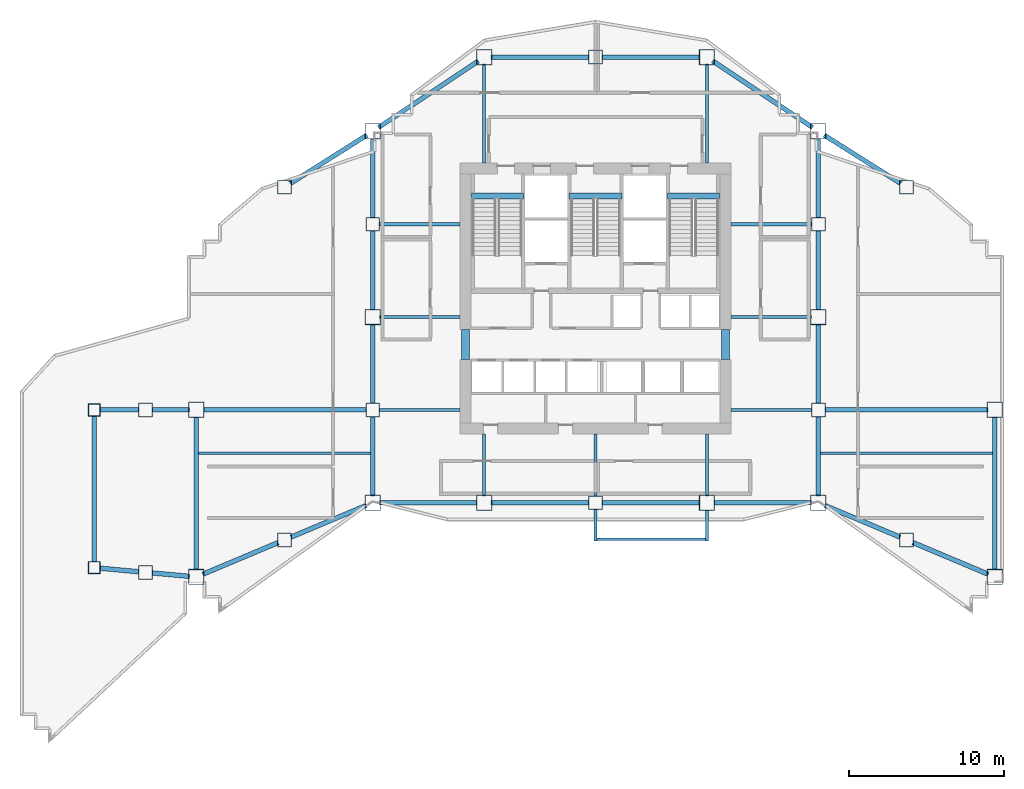
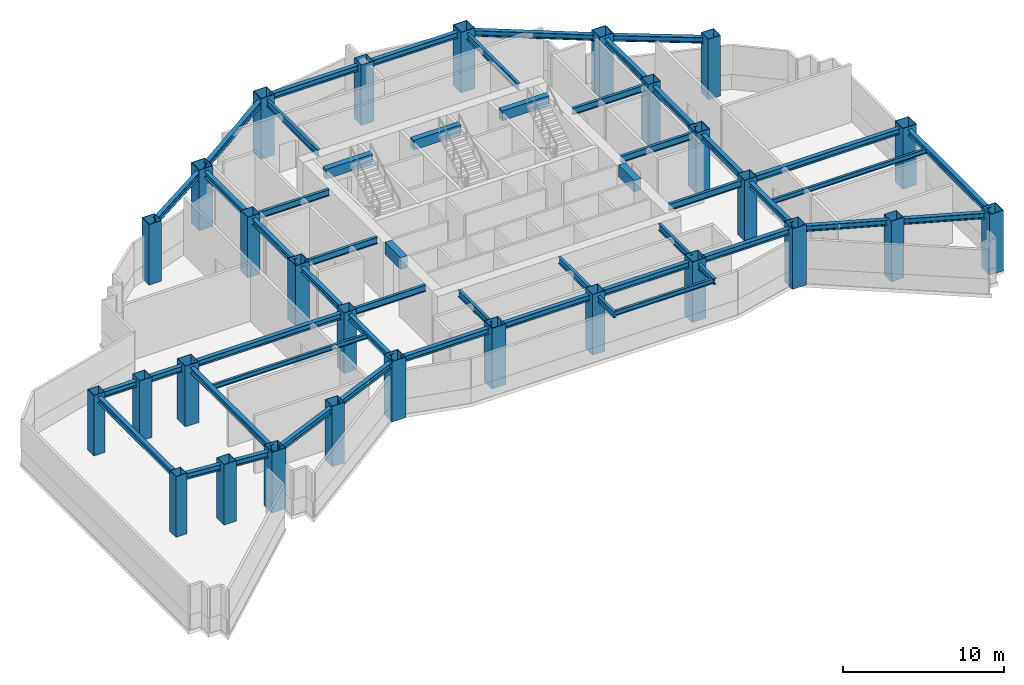
# One storey, part 1 of 12: 52 beams, 28 columns.
"""IFC4 building model written with IfcOpenShell, lengths in metres."""

from ifc_helpers import new_model, si_unit, direction, frame, origin, origin_2d, place, context, subcontext, project, spatial, rectangle, hollow_rectangle, i_section, extrude, material, material_profile, profile_set, type_object, element, save


model = new_model("IFC4")

# Units and contexts
model_context = context("Model", 3, precision=1e-05, world=origin(), true_north=direction((0.0, 1.0)))
body_context = subcontext(model_context, "Body", "Model", "MODEL_VIEW")
ifc_project = project(units=[si_unit("LENGTHUNIT", "METRE"), si_unit("AREAUNIT", "SQUARE_METRE"), si_unit("VOLUMEUNIT", "CUBIC_METRE"), si_unit("PLANEANGLEUNIT", "RADIAN"), si_unit("MASSUNIT", "GRAM", prefix="KILO")], contexts=[model_context])

# Site, building, storey
site_placement = place(None, origin())
site = spatial("IfcSite", under=ifc_project, at=site_placement, CompositionType="ELEMENT")
building_placement = place(site_placement, origin())
building = spatial("IfcBuilding", under=site, at=building_placement, Name="Haolan Belvedere Tower", CompositionType="ELEMENT")
storey_placement = place(building_placement, frame((0.0, 0.0, 136.39990234375)))
storey = spatial("IfcBuildingStorey", under=building, at=storey_placement, Name="L34", CompositionType="ELEMENT", Elevation=136.39990234375)

# Columns
ifc_material_1 = material(Name="Steel Q420GJC", Category="steel")
ifc_material_profile_1 = material_profile(ifc_material_1, hollow_rectangle(XDim=1.0, YDim=1.0, WallThickness=0.0380859375, at=origin_2d()), Name="Steel Q420GJC")
ifc_profile_set_1 = profile_set([ifc_material_profile_1], Name="Steel Q420GJC")
column_type_1 = type_object("IfcColumnType", Name="COL-BOX1000x1000x38", PredefinedType="COLUMN", material=ifc_profile_set_1)
for number, where, z_axis, x_axis, name in (
    (1, (24.0, 21.60009765625, 0.0), (0.0, 0.0, 1.0), (1.0, 0.0, 0.0), "L34 column MC-T3-SW (BOX1000x1000x38)"),
    (2, (24.0, 33.60009765625, 0.0), (0.0, 0.0, 1.0), (1.0, 0.0, 0.0), "L34 column MC-T3-MW (BOX1000x1000x38)"),
    (3, (24.0, 45.60009765625, 0.0), (0.0, 0.0, 1.0), (1.0, 0.0, 0.0), "L34 column MC-T3-NW (BOX1000x1000x38)"),
    (4, (52.800048828125, 21.60009765625, 0.0), (0.0, 0.0, 1.0), (1.0, 0.0, 0.0), "L34 column MC-T3-SE (BOX1000x1000x38)"),
    (5, (52.800048828125, 33.60009765625, 0.0), (0.0, 0.0, 1.0), (1.0, 0.0, 0.0), "L34 column MC-T3-ME (BOX1000x1000x38)"),
    (6, (52.800048828125, 45.60009765625, 0.0), (0.0, 0.0, 1.0), (1.0, 0.0, 0.0), "L34 column MC-T3-NE (BOX1000x1000x38)"),
    (7, (31.199951171875, 21.60009765625, 0.0), (0.0, 0.0, 1.0), (1.0, 0.0, 0.0), "L34 column MC-T3-S1 (BOX1000x1000x38)"),
    (8, (45.60009765625, 21.60009765625, 0.0), (0.0, 0.0, 1.0), (1.0, 0.0, 0.0), "L34 column MC-T3-S2 (BOX1000x1000x38)"),
    (9, (31.199951171875, 50.39990234375, 0.0), (0.0, 0.0, 1.0), (1.0, 0.0, 0.0), "L34 column MC-T3-N1 (BOX1000x1000x38)"),
    (10, (45.60009765625, 50.39990234375, 0.0), (0.0, 0.0, 1.0), (1.0, 0.0, 0.0), "L34 column MC-T3-N2 (BOX1000x1000x38)"),
    (11, (12.60009765625, 16.800048828125, 0.0), (0.0, 0.0, 1.0), (1.0, 0.0, 0.0), "L34 column MC-T2-SW (BOX1000x1000x38)"),
    (12, (12.60009765625, 27.60009765625, 0.0), (0.0, 0.0, 1.0), (1.0, 0.0, 0.0), "L34 column MC-T2-MW (BOX1000x1000x38)"),
    (13, (64.199951171875, 16.800048828125, 0.0), (0.0, 0.0, 1.0), (1.0, 0.0, 0.0), "L34 column MC-T4-SE (BOX1000x1000x38)"),
    (14, (64.199951171875, 27.60009765625, 0.0), (0.0, 0.0, 1.0), (1.0, 0.0, 0.0), "L34 column MC-T4-ME (BOX1000x1000x38)"),
):
    element("IfcColumn", number, at=place(storey_placement, frame(where, z_axis=z_axis, x_axis=x_axis)), inside=storey, type_object=column_type_1, Name=name, PredefinedType="COLUMN", context=body_context, shape_type="SweptSolid", body=[
        extrude(hollow_rectangle(XDim=1.0, YDim=1.0, WallThickness=0.0380859375, at=origin_2d()), origin(), (0.0, 0.0, 1.0), 4.60009765625),
    ])
ifc_material_2 = material(Name="Steel Q390GJC", Category="steel")
ifc_material_profile_2 = material_profile(ifc_material_2, hollow_rectangle(XDim=0.800048828125, YDim=0.800048828125, WallThickness=0.030029296875, at=origin_2d()), Name="Steel Q390GJC")
ifc_profile_set_2 = profile_set([ifc_material_profile_2], Name="Steel Q390GJC")
column_type_2 = type_object("IfcColumnType", Name="COL-BOX800x800x30", PredefinedType="COLUMN", material=ifc_profile_set_2)
for number, where, z_axis, x_axis, name in (
    (15, (6.0, 17.39990234375, 0.0), (0.0, 0.0, 1.0), (1.0, 0.0, 0.0), "L34 column MC-T1-SW (BOX800x800x30)"),
    (16, (6.0, 27.60009765625, 0.0), (0.0, 0.0, 1.0), (1.0, 0.0, 0.0), "L34 column MC-T1-NW (BOX800x800x30)"),
):
    element("IfcColumn", number, at=place(storey_placement, frame(where, z_axis=z_axis, x_axis=x_axis)), inside=storey, type_object=column_type_2, Name=name, PredefinedType="COLUMN", context=body_context, shape_type="SweptSolid", body=[
        extrude(hollow_rectangle(XDim=0.800048828125, YDim=0.800048828125, WallThickness=0.030029296875, at=origin_2d()), origin(), (0.0, 0.0, 1.0), 4.60009765625),
    ])
ifc_material_profile_3 = material_profile(ifc_material_2, hollow_rectangle(XDim=0.89990234375, YDim=0.89990234375, WallThickness=0.033935546875, at=origin_2d()), Name="Steel Q390GJC")
ifc_profile_set_3 = profile_set([ifc_material_profile_3], Name="Steel Q390GJC")
column_type_3 = type_object("IfcColumnType", Name="COL-BOX900x900x34", PredefinedType="COLUMN", material=ifc_profile_set_3)
for number, where, z_axis, x_axis, name in (
    (17, (24.0, 27.60009765625, 0.0), (0.0, 0.0, 1.0), (1.0, 0.0, 0.0), "L34 column TC-T3-W1 (BOX900x900x34)"),
    (18, (24.0, 39.60009765625, 0.0), (0.0, 0.0, 1.0), (1.0, 0.0, 0.0), "L34 column TC-T3-W2 (BOX900x900x34)"),
    (19, (52.800048828125, 27.60009765625, 0.0), (0.0, 0.0, 1.0), (1.0, 0.0, 0.0), "L34 column TC-T3-E1 (BOX900x900x34)"),
    (20, (52.800048828125, 39.60009765625, 0.0), (0.0, 0.0, 1.0), (1.0, 0.0, 0.0), "L34 column TC-T3-E2 (BOX900x900x34)"),
    (21, (38.39990234375, 21.60009765625, 0.0), (0.0, 0.0, 1.0), (1.0, 0.0, 0.0), "L34 column TC-T3-SM (BOX900x900x34)"),
    (22, (38.39990234375, 50.39990234375, 0.0), (0.0, 0.0, 1.0), (1.0, 0.0, 0.0), "L34 column TC-T3-NM (BOX900x900x34)"),
    (23, (18.300048828125, 19.199951171875, 0.0), (0.0, 0.0, 1.0), (1.0, 0.0, 0.0), "L34 column TC-T2-S1 (BOX900x900x34)"),
    (24, (18.300048828125, 42.0, 0.0), (0.0, 0.0, 1.0), (1.0, 0.0, 0.0), "L34 column TC-T2-N1 (BOX900x900x34)"),
    (25, (58.5, 19.199951171875, 0.0), (0.0, 0.0, 1.0), (1.0, 0.0, 0.0), "L34 column TC-T4-S1 (BOX900x900x34)"),
    (26, (58.5, 42.0, 0.0), (0.0, 0.0, 1.0), (1.0, 0.0, 0.0), "L34 column TC-T4-N1 (BOX900x900x34)"),
    (27, (9.300048828125, 17.10009765625, 0.0), (0.0, 0.0, 1.0), (1.0, 0.0, 0.0), "L34 column TC-T1-M1 (BOX900x900x34)"),
    (28, (9.300048828125, 27.60009765625, 0.0), (0.0, 0.0, 1.0), (1.0, 0.0, 0.0), "L34 column TC-T1-M2 (BOX900x900x34)"),
):
    element("IfcColumn", number, at=place(storey_placement, frame(where, z_axis=z_axis, x_axis=x_axis)), inside=storey, type_object=column_type_3, Name=name, PredefinedType="COLUMN", context=body_context, shape_type="SweptSolid", body=[
        extrude(hollow_rectangle(XDim=0.89990234375, YDim=0.89990234375, WallThickness=0.033935546875, at=origin_2d()), origin(), (0.0, 0.0, 1.0), 4.60009765625),
    ])

# Beams
ifc_material_3 = material(Name="Steel Q355B", Category="steel")
ifc_material_profile_4 = material_profile(ifc_material_3, i_section(OverallWidth=0.300048828125, OverallDepth=0.43994140625, WebThickness=0.010986328125, FlangeThickness=0.01806640625, FilletRadius=0.02392578125, at=origin_2d()), Name="Steel Q355B")
ifc_profile_set_4 = profile_set([ifc_material_profile_4], Name="Steel Q355B")
beam_type_1 = type_object("IfcBeamType", Name="BM-HM440x300x11x18", PredefinedType="SPANDREL", material=ifc_profile_set_4)
for number, where, z_axis, x_axis, name in (
    (29, (24.0, 22.050048828125, 4.18017578125), (0.0, 1.0, 0.0), (-1.0, 0.0, 0.0), "L34 spandrel girder MC-T3-SW-TC-T3-W1"),
    (30, (24.0, 28.050048828125, 4.18017578125), (0.0, 1.0, 0.0), (-1.0, 0.0, 0.0), "L34 spandrel girder TC-T3-W1-MC-T3-MW"),
    (31, (24.0, 34.050048828125, 4.18017578125), (0.0, 1.0, 0.0), (-1.0, 0.0, 0.0), "L34 spandrel girder MC-T3-MW-TC-T3-W2"),
    (32, (24.0, 40.050048828125, 4.18017578125), (0.0, 1.0, 0.0), (-1.0, 0.0, 0.0), "L34 spandrel girder TC-T3-W2-MC-T3-NW"),
    (33, (52.800048828125, 22.050048828125, 4.18017578125), (0.0, 1.0, 0.0), (-1.0, 0.0, 0.0), "L34 spandrel girder MC-T3-SE-TC-T3-E1"),
    (34, (52.800048828125, 28.050048828125, 4.18017578125), (0.0, 1.0, 0.0), (-1.0, 0.0, 0.0), "L34 spandrel girder TC-T3-E1-MC-T3-ME"),
    (35, (52.800048828125, 34.050048828125, 4.18017578125), (0.0, 1.0, 0.0), (-1.0, 0.0, 0.0), "L34 spandrel girder MC-T3-ME-TC-T3-E2"),
    (36, (52.800048828125, 40.050048828125, 4.18017578125), (0.0, 1.0, 0.0), (-1.0, 0.0, 0.0), "L34 spandrel girder TC-T3-E2-MC-T3-NE"),
):
    element("IfcBeam", number, at=place(storey_placement, frame(where, z_axis=z_axis, x_axis=x_axis)), inside=storey, type_object=beam_type_1, Name=name, PredefinedType="SPANDREL", context=body_context, shape_type="SweptSolid", body=[
        extrude(i_section(OverallWidth=0.300048828125, OverallDepth=0.43994140625, WebThickness=0.010986328125, FlangeThickness=0.01806640625, FilletRadius=0.02392578125, at=origin_2d()), origin(), (0.0, 0.0, 1.0), 5.099853515625),
    ])
for number, where, z_axis, x_axis, name in (
    (37, (24.449951171875, 21.60009765625, 4.18017578125), (1.0, 0.0, 0.0), (0.0, 1.0, 0.0), "L34 spandrel girder MC-T3-SW-MC-T3-S1"),
    (38, (31.64990234375, 21.60009765625, 4.18017578125), (1.0, 0.0, 0.0), (0.0, 1.0, 0.0), "L34 spandrel girder MC-T3-S1-TC-T3-SM"),
):
    element("IfcBeam", number, at=place(storey_placement, frame(where, z_axis=z_axis, x_axis=x_axis)), inside=storey, type_object=beam_type_1, Name=name, PredefinedType="SPANDREL", context=body_context, shape_type="SweptSolid", body=[
        extrude(i_section(OverallWidth=0.300048828125, OverallDepth=0.43994140625, WebThickness=0.010986328125, FlangeThickness=0.01806640625, FilletRadius=0.02392578125, at=origin_2d()), origin(), (0.0, 0.0, 1.0), 6.300048828125),
    ])
beam_1_placement = place(storey_placement, frame((38.85009765625, 21.60009765625, 4.18017578125), z_axis=(1.0, 0.0, 0.0), x_axis=(0.0, 1.0, 0.0)))
element("IfcBeam", 39, at=beam_1_placement, inside=storey, type_object=beam_type_1, Name="L34 spandrel girder TC-T3-SM-MC-T3-S2", PredefinedType="SPANDREL", context=body_context, shape_type="SweptSolid", body=[
    extrude(i_section(OverallWidth=0.300048828125, OverallDepth=0.43994140625, WebThickness=0.010986328125, FlangeThickness=0.01806640625, FilletRadius=0.02392578125, at=origin_2d()), origin(), (0.0, 0.0, 1.0), 6.2998046875),
])
beam_2_placement = place(storey_placement, frame((46.050048828125, 21.60009765625, 4.18017578125), z_axis=(1.0, 0.0, 0.0), x_axis=(0.0, 1.0, 0.0)))
element("IfcBeam", 40, at=beam_2_placement, inside=storey, type_object=beam_type_1, Name="L34 spandrel girder MC-T3-S2-MC-T3-SE", PredefinedType="SPANDREL", context=body_context, shape_type="SweptSolid", body=[
    extrude(i_section(OverallWidth=0.300048828125, OverallDepth=0.43994140625, WebThickness=0.010986328125, FlangeThickness=0.01806640625, FilletRadius=0.02392578125, at=origin_2d()), origin(), (0.0, 0.0, 1.0), 6.300048828125),
])
beam_3_placement = place(storey_placement, frame((24.37451171875, 45.849609375, 4.18017578125), z_axis=(0.832050294338, 0.554700196225, 0.0), x_axis=(-0.554700196225, 0.832050294338, 0.0)))
element("IfcBeam", 41, at=beam_3_placement, inside=storey, type_object=beam_type_1, Name="L34 spandrel girder MC-T3-NW-MC-T3-N1", PredefinedType="SPANDREL", context=body_context, shape_type="SweptSolid", body=[
    extrude(i_section(OverallWidth=0.300048828125, OverallDepth=0.43994140625, WebThickness=0.010986328125, FlangeThickness=0.01806640625, FilletRadius=0.02392578125, at=origin_2d()), origin(), (0.0, 0.0, 1.0), 7.75341796875),
])
beam_4_placement = place(storey_placement, frame((31.64990234375, 50.39990234375, 4.18017578125), z_axis=(1.0, 0.0, 0.0), x_axis=(0.0, 1.0, 0.0)))
element("IfcBeam", 42, at=beam_4_placement, inside=storey, type_object=beam_type_1, Name="L34 spandrel girder MC-T3-N1-TC-T3-NM", PredefinedType="SPANDREL", context=body_context, shape_type="SweptSolid", body=[
    extrude(i_section(OverallWidth=0.300048828125, OverallDepth=0.43994140625, WebThickness=0.010986328125, FlangeThickness=0.01806640625, FilletRadius=0.02392578125, at=origin_2d()), origin(), (0.0, 0.0, 1.0), 6.300048828125),
])
beam_5_placement = place(storey_placement, frame((38.85009765625, 50.39990234375, 4.18017578125), z_axis=(1.0, 0.0, 0.0), x_axis=(0.0, 1.0, 0.0)))
element("IfcBeam", 43, at=beam_5_placement, inside=storey, type_object=beam_type_1, Name="L34 spandrel girder TC-T3-NM-MC-T3-N2", PredefinedType="SPANDREL", context=body_context, shape_type="SweptSolid", body=[
    extrude(i_section(OverallWidth=0.300048828125, OverallDepth=0.43994140625, WebThickness=0.010986328125, FlangeThickness=0.01806640625, FilletRadius=0.02392578125, at=origin_2d()), origin(), (0.0, 0.0, 1.0), 6.2998046875),
])
beam_6_placement = place(storey_placement, frame((45.974365234375, 50.150390625, 4.18017578125), z_axis=(0.832050294338, -0.554700196225, 0.0), x_axis=(0.554700196225, 0.832050294338, 0.0)))
element("IfcBeam", 44, at=beam_6_placement, inside=storey, type_object=beam_type_1, Name="L34 spandrel girder MC-T3-N2-MC-T3-NE", PredefinedType="SPANDREL", context=body_context, shape_type="SweptSolid", body=[
    extrude(i_section(OverallWidth=0.300048828125, OverallDepth=0.43994140625, WebThickness=0.010986328125, FlangeThickness=0.01806640625, FilletRadius=0.02392578125, at=origin_2d()), origin(), (0.0, 0.0, 1.0), 7.75341796875),
])
beam_7_placement = place(storey_placement, frame((12.60009765625, 17.25, 4.18017578125), z_axis=(0.0, 1.0, 0.0), x_axis=(-1.0, 0.0, 0.0)))
element("IfcBeam", 45, at=beam_7_placement, inside=storey, type_object=beam_type_1, Name="L34 spandrel girder MC-T2-SW-MC-T2-MW", PredefinedType="SPANDREL", context=body_context, shape_type="SweptSolid", body=[
    extrude(i_section(OverallWidth=0.300048828125, OverallDepth=0.43994140625, WebThickness=0.010986328125, FlangeThickness=0.01806640625, FilletRadius=0.02392578125, at=origin_2d()), origin(), (0.0, 0.0, 1.0), 9.89990234375),
])
beam_8_placement = place(storey_placement, frame((13.0146484375, 16.974609375, 4.18017578125), z_axis=(0.921635375138, 0.388057000058, 0.0), x_axis=(-0.388057000058, 0.921635375138, 0.0)))
element("IfcBeam", 46, at=beam_8_placement, inside=storey, type_object=beam_type_1, Name="L34 spandrel girder MC-T2-SW-TC-T2-S1", PredefinedType="SPANDREL", context=body_context, shape_type="SweptSolid", body=[
    extrude(i_section(OverallWidth=0.300048828125, OverallDepth=0.43994140625, WebThickness=0.010986328125, FlangeThickness=0.01806640625, FilletRadius=0.02392578125, at=origin_2d()), origin(), (0.0, 0.0, 1.0), 5.28466796875),
])
beam_9_placement = place(storey_placement, frame((18.71484375, 19.37451171875, 4.18017578125), z_axis=(0.92162841793, 0.388073523014, 0.0), x_axis=(-0.388073523014, 0.92162841793, 0.0)))
element("IfcBeam", 47, at=beam_9_placement, inside=storey, type_object=beam_type_1, Name="L34 spandrel girder TC-T2-S1-MC-T3-SW", PredefinedType="SPANDREL", context=body_context, shape_type="SweptSolid", body=[
    extrude(i_section(OverallWidth=0.300048828125, OverallDepth=0.43994140625, WebThickness=0.010986328125, FlangeThickness=0.01806640625, FilletRadius=0.02392578125, at=origin_2d()), origin(), (0.0, 0.0, 1.0), 5.284423828125),
])
beam_10_placement = place(storey_placement, frame((18.680419921875, 42.240234375, 4.18017578125), z_axis=(0.845497840649, 0.533978839898, 0.0), x_axis=(-0.533978839898, 0.845497840649, 0.0)))
element("IfcBeam", 48, at=beam_10_placement, inside=storey, type_object=beam_type_1, Name="L34 spandrel girder TC-T2-N1-MC-T3-NW", PredefinedType="SPANDREL", context=body_context, shape_type="SweptSolid", body=[
    extrude(i_section(OverallWidth=0.300048828125, OverallDepth=0.43994140625, WebThickness=0.010986328125, FlangeThickness=0.01806640625, FilletRadius=0.02392578125, at=origin_2d()), origin(), (0.0, 0.0, 1.0), 5.841796875),
])
beam_11_placement = place(storey_placement, frame((13.050048828125, 27.60009765625, 4.18017578125), z_axis=(1.0, 0.0, 0.0), x_axis=(0.0, 1.0, 0.0)))
element("IfcBeam", 49, at=beam_11_placement, inside=storey, type_object=beam_type_1, Name="L34 spandrel girder MC-T2-MW-TC-T3-W1", PredefinedType="SPANDREL", context=body_context, shape_type="SweptSolid", body=[
    extrude(i_section(OverallWidth=0.300048828125, OverallDepth=0.43994140625, WebThickness=0.010986328125, FlangeThickness=0.01806640625, FilletRadius=0.02392578125, at=origin_2d()), origin(), (0.0, 0.0, 1.0), 10.5),
])
beam_12_placement = place(storey_placement, frame((64.199951171875, 17.25, 4.18017578125), z_axis=(0.0, 1.0, 0.0), x_axis=(-1.0, 0.0, 0.0)))
element("IfcBeam", 50, at=beam_12_placement, inside=storey, type_object=beam_type_1, Name="L34 spandrel girder MC-T4-SE-MC-T4-ME", PredefinedType="SPANDREL", context=body_context, shape_type="SweptSolid", body=[
    extrude(i_section(OverallWidth=0.300048828125, OverallDepth=0.43994140625, WebThickness=0.010986328125, FlangeThickness=0.01806640625, FilletRadius=0.02392578125, at=origin_2d()), origin(), (0.0, 0.0, 1.0), 9.89990234375),
])
for number, where, z_axis, x_axis, name in (
    (51, (53.21484375, 21.42529296875, 4.18017578125), (0.92162841793, -0.388073523014, 0.0), (0.388073523014, 0.92162841793, 0.0), "L34 spandrel girder MC-T3-SE-TC-T4-S1"),
    (52, (58.914794921875, 19.025390625, 4.18017578125), (0.92162841793, -0.388073523014, 0.0), (0.388073523014, 0.92162841793, 0.0), "L34 spandrel girder TC-T4-S1-MC-T4-SE"),
):
    element("IfcBeam", number, at=place(storey_placement, frame(where, z_axis=z_axis, x_axis=x_axis)), inside=storey, type_object=beam_type_1, Name=name, PredefinedType="SPANDREL", context=body_context, shape_type="SweptSolid", body=[
        extrude(i_section(OverallWidth=0.300048828125, OverallDepth=0.43994140625, WebThickness=0.010986328125, FlangeThickness=0.01806640625, FilletRadius=0.02392578125, at=origin_2d()), origin(), (0.0, 0.0, 1.0), 5.284423828125),
    ])
beam_13_placement = place(storey_placement, frame((53.180419921875, 45.359619140625, 4.18017578125), z_axis=(0.845497840649, -0.533978839898, 0.0), x_axis=(0.533978839898, 0.845497840649, 0.0)))
element("IfcBeam", 53, at=beam_13_placement, inside=storey, type_object=beam_type_1, Name="L34 spandrel girder MC-T3-NE-TC-T4-N1", PredefinedType="SPANDREL", context=body_context, shape_type="SweptSolid", body=[
    extrude(i_section(OverallWidth=0.300048828125, OverallDepth=0.43994140625, WebThickness=0.010986328125, FlangeThickness=0.01806640625, FilletRadius=0.02392578125, at=origin_2d()), origin(), (0.0, 0.0, 1.0), 5.841796875),
])
beam_14_placement = place(storey_placement, frame((53.25, 27.60009765625, 4.18017578125), z_axis=(1.0, 0.0, 0.0), x_axis=(0.0, 1.0, 0.0)))
element("IfcBeam", 54, at=beam_14_placement, inside=storey, type_object=beam_type_1, Name="L34 spandrel girder TC-T3-E1-MC-T4-ME", PredefinedType="SPANDREL", context=body_context, shape_type="SweptSolid", body=[
    extrude(i_section(OverallWidth=0.300048828125, OverallDepth=0.43994140625, WebThickness=0.010986328125, FlangeThickness=0.01806640625, FilletRadius=0.02392578125, at=origin_2d()), origin(), (0.0, 0.0, 1.0), 10.5),
])
beam_15_placement = place(storey_placement, frame((6.0, 17.800048828125, 4.18017578125), z_axis=(0.0, 1.0, 0.0), x_axis=(-1.0, 0.0, 0.0)))
element("IfcBeam", 55, at=beam_15_placement, inside=storey, type_object=beam_type_1, Name="L34 spandrel girder MC-T1-SW-MC-T1-NW", PredefinedType="SPANDREL", context=body_context, shape_type="SweptSolid", body=[
    extrude(i_section(OverallWidth=0.300048828125, OverallDepth=0.43994140625, WebThickness=0.010986328125, FlangeThickness=0.01806640625, FilletRadius=0.02392578125, at=origin_2d()), origin(), (0.0, 0.0, 1.0), 9.39990234375),
])
beam_16_placement = place(storey_placement, frame((6.3984375, 17.36376953125, 4.18017578125), z_axis=(0.995889143855, -0.090580423672, 0.0), x_axis=(0.090580423672, 0.995889143855, 0.0)))
element("IfcBeam", 56, at=beam_16_placement, inside=storey, type_object=beam_type_1, Name="L34 spandrel girder MC-T1-SW-TC-T1-M1", PredefinedType="SPANDREL", context=body_context, shape_type="SweptSolid", body=[
    extrude(i_section(OverallWidth=0.300048828125, OverallDepth=0.43994140625, WebThickness=0.010986328125, FlangeThickness=0.01806640625, FilletRadius=0.02392578125, at=origin_2d()), origin(), (0.0, 0.0, 1.0), 2.46337890625),
])
beam_17_placement = place(storey_placement, frame((9.748046875, 17.059326171875, 4.18017578125), z_axis=(0.9958940355, -0.090526626221, 0.0), x_axis=(0.090526626221, 0.9958940355, 0.0)))
element("IfcBeam", 57, at=beam_17_placement, inside=storey, type_object=beam_type_1, Name="L34 spandrel girder TC-T1-M1-MC-T2-SW", PredefinedType="SPANDREL", context=body_context, shape_type="SweptSolid", body=[
    extrude(i_section(OverallWidth=0.300048828125, OverallDepth=0.43994140625, WebThickness=0.010986328125, FlangeThickness=0.01806640625, FilletRadius=0.02392578125, at=origin_2d()), origin(), (0.0, 0.0, 1.0), 2.413818359375),
])
beam_18_placement = place(storey_placement, frame((6.39990234375, 27.60009765625, 4.18017578125), z_axis=(1.0, 0.0, 0.0), x_axis=(0.0, 1.0, 0.0)))
element("IfcBeam", 58, at=beam_18_placement, inside=storey, type_object=beam_type_1, Name="L34 spandrel girder MC-T1-NW-TC-T1-M2", PredefinedType="SPANDREL", context=body_context, shape_type="SweptSolid", body=[
    extrude(i_section(OverallWidth=0.300048828125, OverallDepth=0.43994140625, WebThickness=0.010986328125, FlangeThickness=0.01806640625, FilletRadius=0.02392578125, at=origin_2d()), origin(), (0.0, 0.0, 1.0), 2.4501953125),
])
beam_19_placement = place(storey_placement, frame((9.75, 27.60009765625, 4.18017578125), z_axis=(1.0, 0.0, 0.0), x_axis=(0.0, 1.0, 0.0)))
element("IfcBeam", 59, at=beam_19_placement, inside=storey, type_object=beam_type_1, Name="L34 spandrel girder TC-T1-M2-MC-T2-MW", PredefinedType="SPANDREL", context=body_context, shape_type="SweptSolid", body=[
    extrude(i_section(OverallWidth=0.300048828125, OverallDepth=0.43994140625, WebThickness=0.010986328125, FlangeThickness=0.01806640625, FilletRadius=0.02392578125, at=origin_2d()), origin(), (0.0, 0.0, 1.0), 2.39990234375),
])
ifc_material_profile_5 = material_profile(ifc_material_3, i_section(OverallWidth=0.175048828125, OverallDepth=0.35009765625, WebThickness=0.007080078125, FlangeThickness=0.010986328125, FilletRadius=0.012939453125, at=origin_2d()), Name="Steel Q355B")
ifc_profile_set_5 = profile_set([ifc_material_profile_5], Name="Steel Q355B")
beam_type_2 = type_object("IfcBeamType", Name="BM-HN350x175x7x11", PredefinedType="JOIST", material=ifc_profile_set_5)
for number, where, z_axis, x_axis, name in (
    (60, (12.75, 24.800048828125, 4.22509765625), (1.0, 0.0, 0.0), (0.0, 1.0, 0.0), "L34 west wing floor joist 1"),
    (61, (52.949951171875, 24.800048828125, 4.22509765625), (1.0, 0.0, 0.0), (0.0, 1.0, 0.0), "L34 east wing floor joist 1"),
):
    element("IfcBeam", number, at=place(storey_placement, frame(where, z_axis=z_axis, x_axis=x_axis)), inside=storey, type_object=beam_type_2, Name=name, PredefinedType="JOIST", context=body_context, shape_type="SweptSolid", body=[
        extrude(i_section(OverallWidth=0.175048828125, OverallDepth=0.35009765625, WebThickness=0.007080078125, FlangeThickness=0.010986328125, FilletRadius=0.012939453125, at=origin_2d()), origin(), (0.0, 0.0, 1.0), 11.10009765625),
    ])
beam_20_placement = place(storey_placement, frame((38.5, 19.239990234375, 4.195068359375), z_axis=(1.0, 0.0, 0.0), x_axis=(0.0, 1.0, 0.0)))
element("IfcBeam", 62, at=beam_20_placement, inside=storey, type_object=beam_type_2, Name="L35 tree-balcony front trimmer beam 1", PredefinedType="BEAM", context=body_context, shape_type="SweptSolid", body=[
    extrude(i_section(OverallWidth=0.175048828125, OverallDepth=0.35009765625, WebThickness=0.007080078125, FlangeThickness=0.010986328125, FilletRadius=0.012939453125, at=origin_2d()), origin(), (0.0, 0.0, 1.0), 7.0),
])
ifc_material_profile_6 = material_profile(ifc_material_3, i_section(OverallWidth=0.199951171875, OverallDepth=0.449951171875, WebThickness=0.009033203125, FlangeThickness=0.013916015625, FilletRadius=0.01611328125, at=origin_2d()), Name="Steel Q355B")
ifc_profile_set_6 = profile_set([ifc_material_profile_6], Name="Steel Q355B")
beam_type_3 = type_object("IfcBeamType", Name="BM-HN450x200x9x14", PredefinedType="BEAM", material=ifc_profile_set_6)
beam_21_placement = place(storey_placement, frame((38.39990234375, 21.14990234375, 4.14501953125), z_axis=(0.0, -1.0, 0.0), x_axis=(1.0, 0.0, 0.0)))
element("IfcBeam", 63, at=beam_21_placement, inside=storey, type_object=beam_type_3, Name="L35 tree-balcony column cantilever TC-T3-SM", PredefinedType="BEAM", context=body_context, shape_type="SweptSolid", body=[
    extrude(i_section(OverallWidth=0.199951171875, OverallDepth=0.449951171875, WebThickness=0.009033203125, FlangeThickness=0.013916015625, FilletRadius=0.01611328125, at=origin_2d()), origin(), (0.0, 0.0, 1.0), 2.010009765625),
])
beam_22_placement = place(storey_placement, frame((45.60009765625, 21.10009765625, 4.14501953125), z_axis=(0.0, -1.0, 0.0), x_axis=(1.0, 0.0, 0.0)))
element("IfcBeam", 64, at=beam_22_placement, inside=storey, type_object=beam_type_3, Name="L35 tree-balcony column cantilever MC-T3-S2", PredefinedType="BEAM", context=body_context, shape_type="SweptSolid", body=[
    extrude(i_section(OverallWidth=0.199951171875, OverallDepth=0.449951171875, WebThickness=0.009033203125, FlangeThickness=0.013916015625, FilletRadius=0.01611328125, at=origin_2d()), origin(), (0.0, 0.0, 1.0), 1.960205078125),
])
ifc_material_profile_7 = material_profile(ifc_material_3, i_section(OverallWidth=0.199951171875, OverallDepth=0.5, WebThickness=0.010009765625, FlangeThickness=0.01611328125, FilletRadius=0.02001953125, at=origin_2d()), Name="Steel Q355B")
ifc_profile_set_7 = profile_set([ifc_material_profile_7], Name="Steel Q355B")
beam_type_4 = type_object("IfcBeamType", Name="BM-HN500x200x10x16", PredefinedType="BEAM", material=ifc_profile_set_7)
for number, where, z_axis, x_axis, name in (
    (65, (24.449951171875, 33.60009765625, 4.150146484375), (1.0, 0.0, 0.0), (0.0, 1.0, 0.0), "L34 core tie beam from MC-T3-MW"),
    (66, (24.449951171875, 27.60009765625, 4.150146484375), (1.0, 0.0, 0.0), (0.0, 1.0, 0.0), "L34 core tie beam from TC-T3-W1"),
    (67, (24.449951171875, 39.60009765625, 4.150146484375), (1.0, 0.0, 0.0), (0.0, 1.0, 0.0), "L34 core tie beam from TC-T3-W2"),
):
    element("IfcBeam", number, at=place(storey_placement, frame(where, z_axis=z_axis, x_axis=x_axis)), inside=storey, type_object=beam_type_4, Name=name, PredefinedType="BEAM", context=body_context, shape_type="SweptSolid", body=[
        extrude(i_section(OverallWidth=0.199951171875, OverallDepth=0.5, WebThickness=0.010009765625, FlangeThickness=0.01611328125, FilletRadius=0.02001953125, at=origin_2d()), origin(), (0.0, 0.0, 1.0), 5.199951171875),
    ])
for number, where, z_axis, x_axis, name in (
    (68, (52.35009765625, 33.60009765625, 4.150146484375), (-1.0, 0.0, 0.0), (0.0, -1.0, 0.0), "L34 core tie beam from MC-T3-ME"),
    (69, (52.35009765625, 27.60009765625, 4.150146484375), (-1.0, 0.0, 0.0), (0.0, -1.0, 0.0), "L34 core tie beam from TC-T3-E1"),
    (70, (52.35009765625, 39.60009765625, 4.150146484375), (-1.0, 0.0, 0.0), (0.0, -1.0, 0.0), "L34 core tie beam from TC-T3-E2"),
):
    element("IfcBeam", number, at=place(storey_placement, frame(where, z_axis=z_axis, x_axis=x_axis)), inside=storey, type_object=beam_type_4, Name=name, PredefinedType="BEAM", context=body_context, shape_type="SweptSolid", body=[
        extrude(i_section(OverallWidth=0.199951171875, OverallDepth=0.5, WebThickness=0.010009765625, FlangeThickness=0.01611328125, FilletRadius=0.02001953125, at=origin_2d()), origin(), (0.0, 0.0, 1.0), 5.2001953125),
    ])
for number, where, z_axis, x_axis, name in (
    (71, (31.199951171875, 22.050048828125, 4.150146484375), (0.0, 1.0, 0.0), (-1.0, 0.0, 0.0), "L34 core tie beam from MC-T3-S1"),
    (72, (38.39990234375, 22.050048828125, 4.150146484375), (0.0, 1.0, 0.0), (-1.0, 0.0, 0.0), "L34 core tie beam from TC-T3-SM"),
    (73, (45.60009765625, 22.050048828125, 4.150146484375), (0.0, 1.0, 0.0), (-1.0, 0.0, 0.0), "L34 core tie beam from MC-T3-S2"),
):
    element("IfcBeam", number, at=place(storey_placement, frame(where, z_axis=z_axis, x_axis=x_axis)), inside=storey, type_object=beam_type_4, Name=name, PredefinedType="BEAM", context=body_context, shape_type="SweptSolid", body=[
        extrude(i_section(OverallWidth=0.199951171875, OverallDepth=0.5, WebThickness=0.010009765625, FlangeThickness=0.01611328125, FilletRadius=0.02001953125, at=origin_2d()), origin(), (0.0, 0.0, 1.0), 4.0),
    ])
for number, where, z_axis, x_axis, name in (
    (74, (31.199951171875, 49.949951171875, 4.150146484375), (0.0, -1.0, 0.0), (1.0, 0.0, 0.0), "L34 core tie beam from MC-T3-N1"),
    (75, (45.60009765625, 49.949951171875, 4.150146484375), (0.0, -1.0, 0.0), (1.0, 0.0, 0.0), "L34 core tie beam from MC-T3-N2"),
):
    element("IfcBeam", number, at=place(storey_placement, frame(where, z_axis=z_axis, x_axis=x_axis)), inside=storey, type_object=beam_type_4, Name=name, PredefinedType="BEAM", context=body_context, shape_type="SweptSolid", body=[
        extrude(i_section(OverallWidth=0.199951171875, OverallDepth=0.5, WebThickness=0.010009765625, FlangeThickness=0.01611328125, FilletRadius=0.02001953125, at=origin_2d()), origin(), (0.0, 0.0, 1.0), 6.39990234375),
    ])
ifc_material_4 = material(Name="Concrete C50/60", Category="concrete")
ifc_material_profile_8 = material_profile(ifc_material_4, rectangle(XDim=0.39990234375, YDim=0.75, at=origin_2d()), Name="Concrete C50/60")
ifc_profile_set_8 = profile_set([ifc_material_profile_8], Name="Concrete C50/60")
beam_type_5 = type_object("IfcBeamType", Name="BM-RC400x750", PredefinedType="T_BEAM", material=ifc_profile_set_8)
beam_23_placement = place(storey_placement, frame((30.3798828125, 41.429931640625, 4.22509765625), z_axis=(1.0, 0.0, 0.0), x_axis=(0.0, 1.0, 0.0)))
element("IfcBeam", 76, at=beam_23_placement, inside=storey, type_object=beam_type_5, Name="L35 stair ST1 RC header trimmer beam", PredefinedType="BEAM", context=body_context, shape_type="SweptSolid", body=[
    extrude(rectangle(XDim=0.39990234375, YDim=0.75, at=origin_2d()), origin(), (0.0, 0.0, 1.0), 3.360107421875),
])
beam_24_placement = place(storey_placement, frame((36.699951171875, 41.429931640625, 4.22509765625), z_axis=(1.0, 0.0, 0.0), x_axis=(0.0, 1.0, 0.0)))
element("IfcBeam", 77, at=beam_24_placement, inside=storey, type_object=beam_type_5, Name="L35 stair ST3 RC header trimmer beam", PredefinedType="BEAM", context=body_context, shape_type="SweptSolid", body=[
    extrude(rectangle(XDim=0.39990234375, YDim=0.75, at=origin_2d()), origin(), (0.0, 0.0, 1.0), 3.400146484375),
])
beam_25_placement = place(storey_placement, frame((43.06005859375, 41.429931640625, 4.22509765625), z_axis=(1.0, 0.0, 0.0), x_axis=(0.0, 1.0, 0.0)))
element("IfcBeam", 78, at=beam_25_placement, inside=storey, type_object=beam_type_5, Name="L35 stair ST2 RC header trimmer beam", PredefinedType="BEAM", context=body_context, shape_type="SweptSolid", body=[
    extrude(rectangle(XDim=0.39990234375, YDim=0.75, at=origin_2d()), origin(), (0.0, 0.0, 1.0), 3.35986328125),
])
ifc_material_5 = material(Name="Concrete C60/75", Category="concrete")
ifc_material_profile_9 = material_profile(ifc_material_5, rectangle(XDim=0.5, YDim=0.89990234375, at=origin_2d()), Name="Concrete C60/75")
ifc_profile_set_9 = profile_set([ifc_material_profile_9], Name="Concrete C60/75")
beam_type_6 = type_object("IfcBeamType", Name="BM-RC500x900", PredefinedType="LINTEL", material=ifc_profile_set_9)
for number, where, z_axis, x_axis, name in (
    (79, (30.0, 30.85009765625, 3.9501953125), (0.0, 1.0, 0.0), (-1.0, 0.0, 0.0), "L34 west core coupling beam CB-01"),
    (80, (46.800048828125, 30.85009765625, 3.9501953125), (0.0, 1.0, 0.0), (-1.0, 0.0, 0.0), "L34 east core coupling beam CB-01"),
):
    element("IfcBeam", number, at=place(storey_placement, frame(where, z_axis=z_axis, x_axis=x_axis)), inside=storey, type_object=beam_type_6, Name=name, PredefinedType="LINTEL", context=body_context, shape_type="SweptSolid", body=[
        extrude(rectangle(XDim=0.5, YDim=0.89990234375, at=origin_2d()), origin(), (0.0, 0.0, 1.0), 1.949951171875),
    ])

save(model, "model.ifc")
